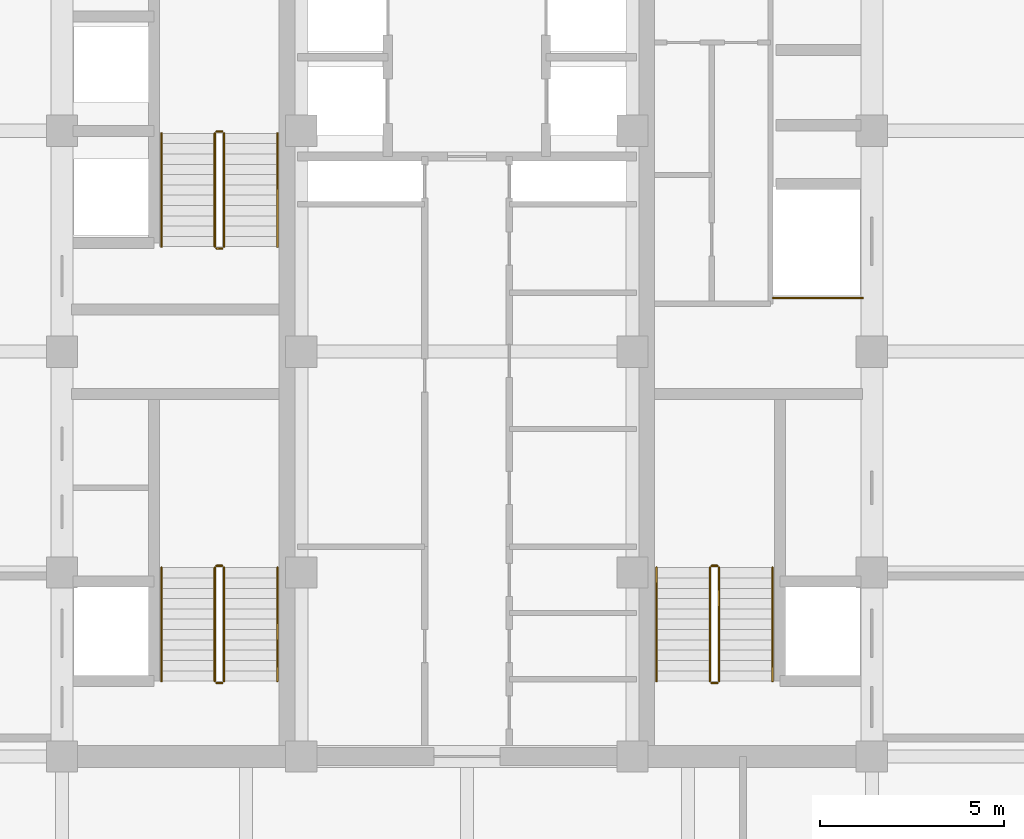
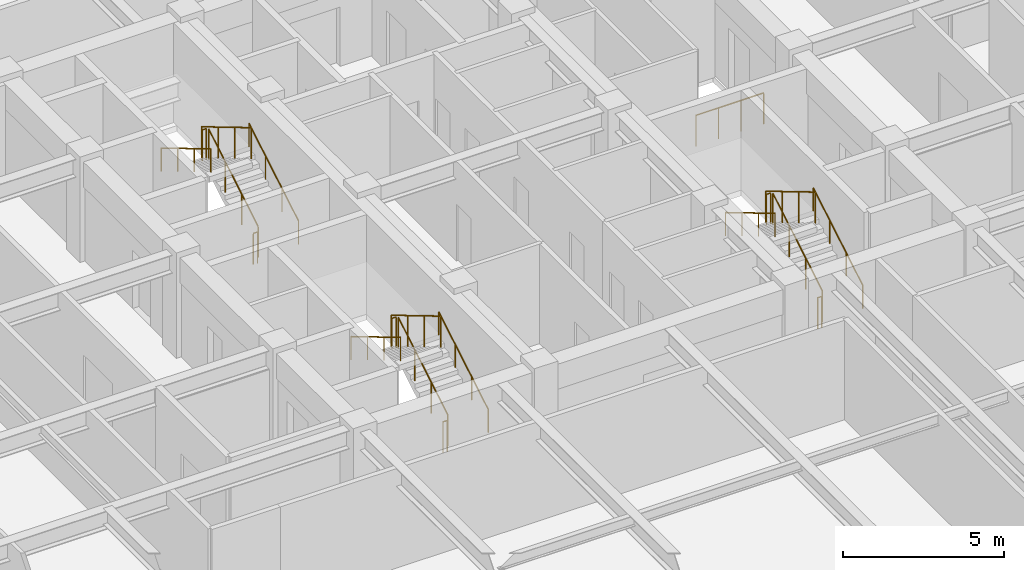
# One storey, part 25 of 25: 19 railings.
"""IFC4 building model written with IfcOpenShell, lengths in metres."""

from ifc_helpers import new_model, si_unit, direction, frame, origin, origin_2d, place, context, subcontext, project, spatial, circle, extrude, source, transform, mapped, material, type_object, element, save


model = new_model("IFC4")

# Units and contexts
model_context = context("Model", 3, precision=1e-05, world=origin(), true_north=direction((0.0, 1.0)))
body_context = subcontext(model_context, "Body", "Model", "MODEL_VIEW")
ifc_project = project(units=[si_unit("LENGTHUNIT", "METRE"), si_unit("AREAUNIT", "SQUARE_METRE"), si_unit("VOLUMEUNIT", "CUBIC_METRE"), si_unit("PLANEANGLEUNIT", "RADIAN"), si_unit("MASSUNIT", "GRAM", prefix="KILO")], contexts=[model_context])

# Site, building, storey
site_placement = place(None, origin())
site = spatial("IfcSite", under=ifc_project, at=site_placement, CompositionType="ELEMENT")
building_placement = place(site_placement, origin())
building = spatial("IfcBuilding", under=site, at=building_placement, Name="Khorayat Bourse Tower", CompositionType="ELEMENT")
storey_placement = place(building_placement, frame((0.0, 0.0, 231.10009765625)))
storey = spatial("IfcBuildingStorey", under=building, at=storey_placement, Name="L54", CompositionType="ELEMENT", Elevation=231.10009765625)

# Railings
ifc_material_1 = material(Name="Powder-coated steel balustrade", Category="steel")
railing_type_1 = type_object("IfcRailingType", Name="RLG-GUARD-1200", PredefinedType="GUARDRAIL", material=ifc_material_1)
shared_shape_1 = source(origin(), body_context, "Body", "SweptSolid", [
    extrude(circle(Radius=0.02392578125, at=origin_2d()), frame((0.0, 0.0, 1.17578125), z_axis=(-1.0, 0.0, 0.0), x_axis=(0.0, -1.0, 0.0)), (0.0, 0.0, 1.0), 0.150146484375),
    extrude(circle(Radius=0.02099609375, at=origin_2d()), origin(), (0.0, 0.0, 1.0), 1.15185546875),
    extrude(circle(Radius=0.02099609375, at=origin_2d()), frame((-0.150146484375, 0.0, 0.0)), (0.0, 0.0, 1.0), 1.15185546875),
])
for number, where, name in (
    (1, (-6.64990234375, -5.820068359375, 2.0), "L54 ST-1 stair guard 2"),
    (2, (-6.64990234375, -9.0, 0.0), "L54 ST-1 stair guard 4"),
    (3, (-6.64990234375, 5.97998046875, 2.0), "L54 ST-2 stair guard 2"),
    (4, (-6.64990234375, 2.800048828125, 0.0), "L54 ST-2 stair guard 4"),
    (5, (6.800048828125, -5.820068359375, 2.0), "L54 ST-3 stair guard 2"),
    (6, (6.800048828125, -9.0, 0.0), "L54 ST-3 stair guard 4"),
):
    element("IfcRailing", number, at=place(storey_placement, frame(where)), inside=storey, type_object=railing_type_1, Name=name, PredefinedType="GUARDRAIL", context=body_context, shape_type="MappedRepresentation", body=[
        mapped(shared_shape_1, transform((0.0, 0.0, 0.0), scale=1.0)),
    ])
shared_shape_2 = source(origin(), body_context, "Body", "SweptSolid", [
    extrude(circle(Radius=0.02392578125, at=origin_2d()), frame((0.0, 0.0, 1.17578125), z_axis=(0.0, 0.859260807169, 0.511537745687), x_axis=(-1.0, 0.0, 0.0)), (0.0, 0.0, 1.0), 3.584228515625),
    extrude(circle(Radius=0.02099609375, at=origin_2d()), origin(), (0.0, 0.0, 1.0), 1.15185546875),
    extrude(circle(Radius=0.02099609375, at=origin_2d()), frame((0.0, 1.026611328125, 0.611083984375)), (0.0, 0.0, 1.0), 1.15185546875),
    extrude(circle(Radius=0.02099609375, at=origin_2d()), frame((0.0, 2.05322265625, 1.222412109375)), (0.0, 0.0, 1.0), 1.15185546875),
    extrude(circle(Radius=0.02099609375, at=origin_2d()), frame((0.0, 3.079833984375, 1.83349609375)), (0.0, 0.0, 1.0), 1.15185546875),
])
for number, where, name in (
    (7, (-6.60009765625, -8.949951171875, 0.16650390625), "L54 ST-1 stair guard 1"),
    (8, (-6.60009765625, 2.85009765625, 0.16650390625), "L54 ST-2 stair guard 1"),
    (9, (6.85009765625, -8.949951171875, 0.16650390625), "L54 ST-3 stair guard 1"),
):
    element("IfcRailing", number, at=place(storey_placement, frame(where)), inside=storey, type_object=railing_type_1, Name=name, PredefinedType="GUARDRAIL", context=body_context, shape_type="MappedRepresentation", body=[
        mapped(shared_shape_2, transform((0.0, 0.0, 0.0), scale=1.0)),
    ])
shared_shape_3 = source(origin(), body_context, "Body", "SweptSolid", [
    extrude(circle(Radius=0.02392578125, at=origin_2d()), frame((0.0, 0.0, 1.17578125), z_axis=(0.0, -0.859260807169, 0.511537745687), x_axis=(1.0, 0.0, 0.0)), (0.0, 0.0, 1.0), 3.584228515625),
    extrude(circle(Radius=0.02099609375, at=origin_2d()), origin(), (0.0, 0.0, 1.0), 1.15185546875),
    extrude(circle(Radius=0.02099609375, at=origin_2d()), frame((0.0, -1.026611328125, 0.611083984375)), (0.0, 0.0, 1.0), 1.15185546875),
    extrude(circle(Radius=0.02099609375, at=origin_2d()), frame((0.0, -2.05322265625, 1.222412109375)), (0.0, 0.0, 1.0), 1.15185546875),
    extrude(circle(Radius=0.02099609375, at=origin_2d()), frame((0.0, -3.079833984375, 1.83349609375)), (0.0, 0.0, 1.0), 1.15185546875),
])
for number, where, name in (
    (10, (-6.85009765625, -5.8701171875, 2.16650390625), "L54 ST-1 stair guard 3"),
    (11, (-6.85009765625, 5.929931640625, 2.16650390625), "L54 ST-2 stair guard 3"),
    (12, (6.60009765625, -5.8701171875, 2.16650390625), "L54 ST-3 stair guard 3"),
):
    element("IfcRailing", number, at=place(storey_placement, frame(where)), inside=storey, type_object=railing_type_1, Name=name, PredefinedType="GUARDRAIL", context=body_context, shape_type="MappedRepresentation", body=[
        mapped(shared_shape_3, transform((0.0, 0.0, 0.0), scale=1.0)),
    ])
ifc_material_2 = material(Name="Brushed bronze stainless-steel handrail", Category="steel")
railing_type_2 = type_object("IfcRailingType", Name="RLG-HAND-900", PredefinedType="HANDRAIL", material=ifc_material_2)
shared_shape_4 = source(origin(), body_context, "Body", "SweptSolid", [
    extrude(circle(Radius=0.02392578125, at=origin_2d()), frame((0.0, 0.0, 0.8759765625), z_axis=(0.0, 0.859260807169, 0.511537745687), x_axis=(-1.0, 0.0, 0.0)), (0.0, 0.0, 1.0), 3.584228515625),
    extrude(circle(Radius=0.02099609375, at=origin_2d()), origin(), (0.0, 0.0, 1.0), 0.851806640625),
    extrude(circle(Radius=0.02099609375, at=origin_2d()), frame((0.0, 1.026611328125, 0.611083984375)), (0.0, 0.0, 1.0), 0.851806640625),
    extrude(circle(Radius=0.02099609375, at=origin_2d()), frame((0.0, 2.05322265625, 1.222412109375)), (0.0, 0.0, 1.0), 0.851806640625),
    extrude(circle(Radius=0.02099609375, at=origin_2d()), frame((0.0, 3.079833984375, 1.83349609375)), (0.0, 0.0, 1.0), 0.851806640625),
])
for number, where, name in (
    (13, (-5.14990234375, -8.949951171875, 0.16650390625), "L54 ST-1 stair handrail 1"),
    (14, (-5.14990234375, 2.85009765625, 0.16650390625), "L54 ST-2 stair handrail 1"),
    (15, (8.300048828125, -8.949951171875, 0.16650390625), "L54 ST-3 stair handrail 1"),
):
    element("IfcRailing", number, at=place(storey_placement, frame(where)), inside=storey, type_object=railing_type_2, Name=name, PredefinedType="HANDRAIL", context=body_context, shape_type="MappedRepresentation", body=[
        mapped(shared_shape_4, transform((0.0, 0.0, 0.0), scale=1.0)),
    ])
shared_shape_5 = source(origin(), body_context, "Body", "SweptSolid", [
    extrude(circle(Radius=0.02392578125, at=origin_2d()), frame((0.0, 0.0, 0.8759765625), z_axis=(0.0, -0.859260807169, 0.511537745687), x_axis=(1.0, 0.0, 0.0)), (0.0, 0.0, 1.0), 3.584228515625),
    extrude(circle(Radius=0.02099609375, at=origin_2d()), origin(), (0.0, 0.0, 1.0), 0.851806640625),
    extrude(circle(Radius=0.02099609375, at=origin_2d()), frame((0.0, -1.026611328125, 0.611083984375)), (0.0, 0.0, 1.0), 0.851806640625),
    extrude(circle(Radius=0.02099609375, at=origin_2d()), frame((0.0, -2.05322265625, 1.222412109375)), (0.0, 0.0, 1.0), 0.851806640625),
    extrude(circle(Radius=0.02099609375, at=origin_2d()), frame((0.0, -3.079833984375, 1.83349609375)), (0.0, 0.0, 1.0), 0.851806640625),
])
for number, where, name in (
    (16, (-8.300048828125, -5.8701171875, 2.16650390625), "L54 ST-1 stair handrail 2"),
    (17, (-8.300048828125, 5.929931640625, 2.16650390625), "L54 ST-2 stair handrail 2"),
    (18, (5.14990234375, -5.8701171875, 2.16650390625), "L54 ST-3 stair handrail 2"),
):
    element("IfcRailing", number, at=place(storey_placement, frame(where)), inside=storey, type_object=railing_type_2, Name=name, PredefinedType="HANDRAIL", context=body_context, shape_type="MappedRepresentation", body=[
        mapped(shared_shape_5, transform((0.0, 0.0, 0.0), scale=1.0)),
    ])
shared_shape_6 = source(origin(), body_context, "Body", "SweptSolid", [
    extrude(circle(Radius=0.02392578125, at=origin_2d()), frame((0.0, 0.0, 1.17578125), z_axis=(1.0, 0.0, 0.0), x_axis=(0.0, 1.0, 0.0)), (0.0, 0.0, 1.0), 2.429931640625),
    extrude(circle(Radius=0.02099609375, at=origin_2d()), origin(), (0.0, 0.0, 1.0), 1.15185546875),
    extrude(circle(Radius=0.02099609375, at=origin_2d()), frame((0.81005859375, 0.0, 0.0)), (0.0, 0.0, 1.0), 1.15185546875),
    extrude(circle(Radius=0.02099609375, at=origin_2d()), frame((1.619873046875, 0.0, 0.0)), (0.0, 0.0, 1.0), 1.15185546875),
    extrude(circle(Radius=0.02099609375, at=origin_2d()), frame((2.429931640625, 0.0, 0.0)), (0.0, 0.0, 1.0), 1.15185546875),
])
railing_placement = place(storey_placement, frame((8.320068359375, 1.4599609375, 0.0)))
element("IfcRailing", 19, at=railing_placement, inside=storey, type_object=railing_type_1, Name="L54 Goods Shaft Opening Guardrail", PredefinedType="GUARDRAIL", context=body_context, shape_type="MappedRepresentation", body=[
    mapped(shared_shape_6, transform((0.0, 0.0, 0.0), scale=1.0)),
])

save(model, "model.ifc")
